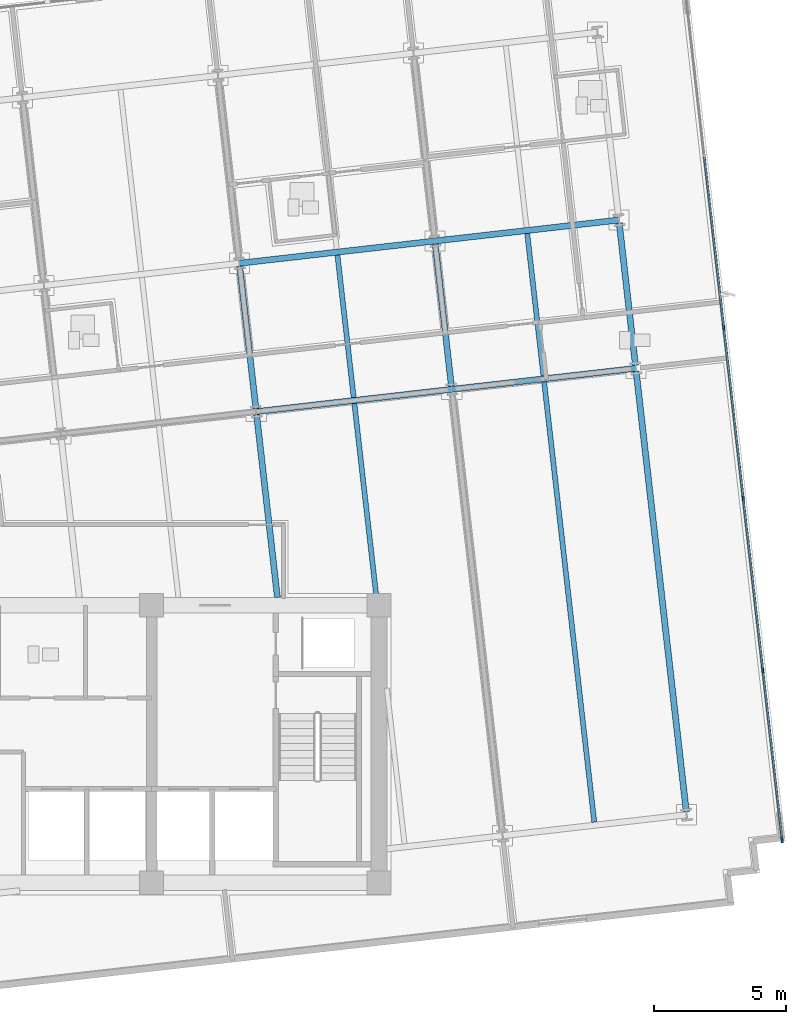
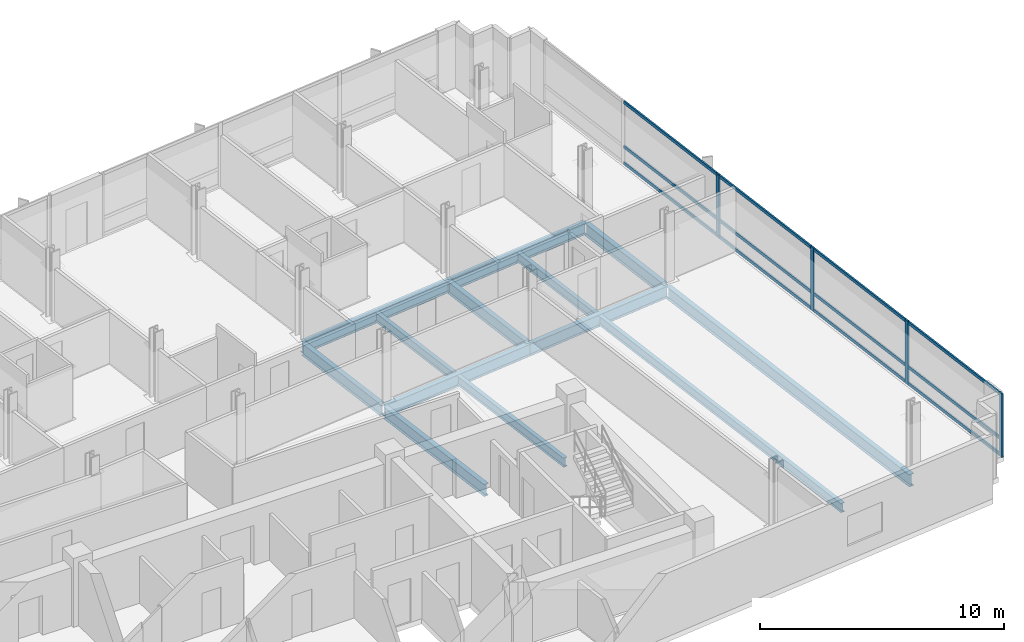
# One storey, part 4 of 17: 16 members, 13 beams, 1 element without a shape of its own.
"""IFC4 building model written with IfcOpenShell, lengths in metres."""

from ifc_helpers import new_model, si_unit, direction, frame, origin, origin_2d, place, context, subcontext, project, spatial, rectangle, i_section, extrude, material, material_profile, profile_set, type_object, element, aggregate, save


model = new_model("IFC4")

# Units and contexts
model_context = context("Model", 3, precision=1e-05, world=origin(), true_north=direction((0.0, 1.0)))
body_context = subcontext(model_context, "Body", "Model", "MODEL_VIEW")
ifc_project = project(units=[si_unit("LENGTHUNIT", "METRE"), si_unit("AREAUNIT", "SQUARE_METRE"), si_unit("VOLUMEUNIT", "CUBIC_METRE"), si_unit("PLANEANGLEUNIT", "RADIAN"), si_unit("MASSUNIT", "GRAM", prefix="KILO")], contexts=[model_context])

# Site, building, storey
site_placement = place(None, origin())
site = spatial("IfcSite", under=ifc_project, at=site_placement, CompositionType="ELEMENT")
building_placement = place(site_placement, origin())
building = spatial("IfcBuilding", under=site, at=building_placement, Name="Solmavex Isthmus Hotel", CompositionType="ELEMENT")
storey_placement = place(building_placement, frame((0.0, 0.0, 202.050048828125)))
storey = spatial("IfcBuildingStorey", under=building, at=storey_placement, Name="L54", CompositionType="ELEMENT", Elevation=202.050048828125)

# Beams
ifc_material_1 = material(Name="Steel ASTM A992 Grade 50", Category="steel")
ifc_material_profile_1 = material_profile(ifc_material_1, i_section(OverallWidth=0.1904296875, OverallDepth=0.456787109375, WebThickness=0.009033203125, FlangeThickness=0.014404296875, FilletRadius=0.0126953125, at=origin_2d()), Name="W18X50")
ifc_profile_set_1 = profile_set([ifc_material_profile_1], Name="Steel ASTM A992 Grade 50")
beam_type_1 = type_object("IfcBeamType", Name="BM-BJ-W18X50", PredefinedType="JOIST", material=ifc_profile_set_1)
beam_1_placement = place(storey_placement, frame((15.908447265625, -2.199951171875, -0.488525390625), z_axis=(-0.113224925382, 0.99356938171, 0.0), x_axis=(-0.99356938171, -0.113224925382, 0.0)))
element("IfcBeam", 1, at=beam_1_placement, inside=storey, type_object=beam_type_1, Name="Secondary Floor Joist L54-J16", PredefinedType="JOIST", context=body_context, shape_type="SweptSolid", body=[
    extrude(i_section(OverallWidth=0.1904296875, OverallDepth=0.456787109375, WebThickness=0.009033203125, FlangeThickness=0.014404296875, FilletRadius=0.0126953125, at=origin_2d()), origin(), (0.0, 0.0, 1.0), 7.38525390625),
])
beam_2_placement = place(storey_placement, frame((15.046630859375, 5.364013671875, -0.488525390625), z_axis=(-0.113189626161, 0.993573403695, 0.0), x_axis=(-0.993573403695, -0.113189626161, 0.0)))
element("IfcBeam", 2, at=beam_2_placement, inside=storey, type_object=beam_type_1, Name="Secondary Floor Joist L54-J17", PredefinedType="JOIST", context=body_context, shape_type="SweptSolid", body=[
    extrude(i_section(OverallWidth=0.1904296875, OverallDepth=0.456787109375, WebThickness=0.009033203125, FlangeThickness=0.014404296875, FilletRadius=0.0126953125, at=origin_2d()), origin(), (0.0, 0.0, 1.0), 5.42041015625),
])
beam_3_placement = place(storey_placement, frame((24.1513671875, -10.707275390625, -0.488525390625), z_axis=(-0.113198426291, 0.993572401129, 0.0), x_axis=(-0.993572401129, -0.113198426291, 0.0)))
element("IfcBeam", 3, at=beam_3_placement, inside=storey, type_object=beam_type_1, Name="Secondary Floor Joist L54-J19", PredefinedType="JOIST", context=body_context, shape_type="SweptSolid", body=[
    extrude(i_section(OverallWidth=0.1904296875, OverallDepth=0.456787109375, WebThickness=0.009033203125, FlangeThickness=0.014404296875, FilletRadius=0.0126953125, at=origin_2d()), origin(), (0.0, 0.0, 1.0), 16.77099609375),
])
beam_4_placement = place(storey_placement, frame((22.22705078125, 6.18212890625, -0.488525390625), z_axis=(-0.113189626161, 0.993573403695, 0.0), x_axis=(-0.993573403695, -0.113189626161, 0.0)))
element("IfcBeam", 4, at=beam_4_placement, inside=storey, type_object=beam_type_1, Name="Secondary Floor Joist L54-J20", PredefinedType="JOIST", context=body_context, shape_type="SweptSolid", body=[
    extrude(i_section(OverallWidth=0.1904296875, OverallDepth=0.456787109375, WebThickness=0.009033203125, FlangeThickness=0.014404296875, FilletRadius=0.0126953125, at=origin_2d()), origin(), (0.0, 0.0, 1.0), 5.42041015625),
])
ifc_material_profile_2 = material_profile(ifc_material_1, i_section(OverallWidth=0.227783203125, OverallDepth=0.602783203125, WebThickness=0.010498046875, FlangeThickness=0.014892578125, FilletRadius=0.01513671875, at=origin_2d()), Name="W24X68")
ifc_profile_set_2 = profile_set([ifc_material_profile_2], Name="Steel ASTM A992 Grade 50")
beam_type_2 = type_object("IfcBeamType", Name="BM-BM-W24X68", PredefinedType="BEAM", material=ifc_profile_set_2)
beam_5_placement = place(storey_placement, frame((11.3603515625, 4.829345703125, -0.561279296875), z_axis=(0.9935703463, 0.113216460607, 0.0), x_axis=(-0.113216460607, 0.9935703463, 0.0)))
element("IfcBeam", 5, at=beam_5_placement, inside=storey, type_object=beam_type_2, Name="Floor Girder L54-UG10", PredefinedType="BEAM", context=body_context, shape_type="SweptSolid", body=[
    extrude(i_section(OverallWidth=0.227783203125, OverallDepth=0.602783203125, WebThickness=0.010498046875, FlangeThickness=0.014892578125, FilletRadius=0.01513671875, at=origin_2d()), origin(), (0.0, 0.0, 1.0), 7.446044921875),
])
beam_6_placement = place(storey_placement, frame((18.758544921875, 5.67236328125, -0.561279296875), z_axis=(0.99357359356, 0.113187959519, 0.0), x_axis=(-0.113187959519, 0.99357359356, 0.0)))
element("IfcBeam", 6, at=beam_6_placement, inside=storey, type_object=beam_type_2, Name="Floor Girder L54-UG11", PredefinedType="BEAM", context=body_context, shape_type="SweptSolid", body=[
    extrude(i_section(OverallWidth=0.227783203125, OverallDepth=0.602783203125, WebThickness=0.010498046875, FlangeThickness=0.014892578125, FilletRadius=0.01513671875, at=origin_2d()), origin(), (0.0, 0.0, 1.0), 7.0078125),
])
beam_7_placement = place(storey_placement, frame((10.720947265625, 10.441162109375, -0.561279296875), z_axis=(0.993574034044, 0.113184092846, 0.0), x_axis=(-0.113184092846, 0.993574034044, 0.0)))
element("IfcBeam", 7, at=beam_7_placement, inside=storey, type_object=beam_type_2, Name="Floor Girder L54-UG16", PredefinedType="BEAM", context=body_context, shape_type="SweptSolid", body=[
    extrude(i_section(OverallWidth=0.227783203125, OverallDepth=0.602783203125, WebThickness=0.010498046875, FlangeThickness=0.014892578125, FilletRadius=0.01513671875, at=origin_2d()), origin(), (0.0, 0.0, 1.0), 7.446044921875),
])
beam_8_placement = place(storey_placement, frame((18.119140625, 11.283935546875, -0.561279296875), z_axis=(0.993569675103, 0.113222350774, 0.0), x_axis=(-0.113222350774, 0.993569675103, 0.0)))
element("IfcBeam", 8, at=beam_8_placement, inside=storey, type_object=beam_type_2, Name="Floor Girder L54-UG17", PredefinedType="BEAM", context=body_context, shape_type="SweptSolid", body=[
    extrude(i_section(OverallWidth=0.227783203125, OverallDepth=0.602783203125, WebThickness=0.010498046875, FlangeThickness=0.014892578125, FilletRadius=0.01513671875, at=origin_2d()), origin(), (0.0, 0.0, 1.0), 7.008056640625),
])
beam_9_placement = place(storey_placement, frame((12.161376953125, -2.199951171875, -0.561279296875), z_axis=(-0.113214229187, 0.993570600566, 0.0), x_axis=(-0.993570600566, -0.113214229187, 0.0)))
element("IfcBeam", 9, at=beam_9_placement, inside=storey, type_object=beam_type_2, Name="Floor Beam L54-VG37", PredefinedType="BEAM", context=body_context, shape_type="SweptSolid", body=[
    extrude(i_section(OverallWidth=0.227783203125, OverallDepth=0.602783203125, WebThickness=0.010498046875, FlangeThickness=0.014892578125, FilletRadius=0.01513671875, at=origin_2d()), origin(), (0.0, 0.0, 1.0), 6.9609375),
])
beam_10_placement = place(storey_placement, frame((11.347412109375, 4.942626953125, -0.561279296875), z_axis=(-0.113194691868, 0.993572826587, 0.0), x_axis=(-0.993572826587, -0.113194691868, 0.0)))
element("IfcBeam", 10, at=beam_10_placement, inside=storey, type_object=beam_type_2, Name="Floor Beam L54-VG38", PredefinedType="BEAM", context=body_context, shape_type="SweptSolid", body=[
    extrude(i_section(OverallWidth=0.227783203125, OverallDepth=0.602783203125, WebThickness=0.010498046875, FlangeThickness=0.014892578125, FilletRadius=0.01513671875, at=origin_2d()), origin(), (0.0, 0.0, 1.0), 5.420166015625),
])
beam_11_placement = place(storey_placement, frame((18.74560546875, 5.785400390625, -0.561279296875), z_axis=(-0.113189626161, 0.993573403695, 0.0), x_axis=(-0.993573403695, -0.113189626161, 0.0)))
element("IfcBeam", 11, at=beam_11_placement, inside=storey, type_object=beam_type_2, Name="Floor Beam L54-VG41", PredefinedType="BEAM", context=body_context, shape_type="SweptSolid", body=[
    extrude(i_section(OverallWidth=0.227783203125, OverallDepth=0.602783203125, WebThickness=0.010498046875, FlangeThickness=0.014892578125, FilletRadius=0.01513671875, at=origin_2d()), origin(), (0.0, 0.0, 1.0), 5.42041015625),
])
ifc_material_profile_3 = material_profile(ifc_material_1, i_section(OverallWidth=0.230224609375, OverallDepth=0.617431640625, WebThickness=0.01318359375, FlangeThickness=0.022216796875, FilletRadius=0.01513671875, at=origin_2d()), Name="W24X94")
ifc_profile_set_3 = profile_set([ifc_material_profile_3], Name="Steel ASTM A992 Grade 50")
beam_type_3 = type_object("IfcBeamType", Name="BM-SP-W24X94", PredefinedType="SPANDREL", material=ifc_profile_set_3)
beam_12_placement = place(storey_placement, frame((27.6328125, -10.310546875, -0.56884765625), z_axis=(-0.113198426291, 0.993572401129, 0.0), x_axis=(-0.993572401129, -0.113198426291, 0.0)))
element("IfcBeam", 12, at=beam_12_placement, inside=storey, type_object=beam_type_3, Name="Floor Beam L54-VG43", PredefinedType="SPANDREL", context=body_context, shape_type="SweptSolid", body=[
    extrude(i_section(OverallWidth=0.230224609375, OverallDepth=0.617431640625, WebThickness=0.01318359375, FlangeThickness=0.022216796875, FilletRadius=0.01513671875, at=origin_2d()), origin(), (0.0, 0.0, 1.0), 16.77099609375),
])
beam_13_placement = place(storey_placement, frame((25.70849609375, 6.578857421875, -0.56884765625), z_axis=(-0.113194691868, 0.993572826587, 0.0), x_axis=(-0.993572826587, -0.113194691868, 0.0)))
element("IfcBeam", 13, at=beam_13_placement, inside=storey, type_object=beam_type_3, Name="Floor Beam L54-VG44", PredefinedType="SPANDREL", context=body_context, shape_type="SweptSolid", body=[
    extrude(i_section(OverallWidth=0.230224609375, OverallDepth=0.617431640625, WebThickness=0.01318359375, FlangeThickness=0.022216796875, FilletRadius=0.01513671875, at=origin_2d()), origin(), (0.0, 0.0, 1.0), 5.420166015625),
])

# Curtain wall, members
ifc_material_2 = material(Name="Aluminium alloy 6063-T6", Category="aluminium")
curtain_wall_type = type_object("IfcCurtainWallType", Name="CW-SYS-04", PredefinedType="NOTDEFINED", material=ifc_material_2)
curtain_wall_placement = place(storey_placement, origin())
curtain_wall = element("IfcCurtainWall", 14, at=curtain_wall_placement, inside=storey, type_object=curtain_wall_type, Name="Stick Curtain Wall CWL-L54-E1", PredefinedType="NOTDEFINED")
ifc_material_profile_4 = material_profile(ifc_material_2, rectangle(XDim=0.074951171875, YDim=0.199951171875, at=origin_2d()), Name="CWM-75X200")
ifc_profile_set_4 = profile_set([ifc_material_profile_4], Name="Aluminium alloy 6063-T6")
member_type_1 = type_object("IfcMemberType", Name="CW-SYS-04-MUL", PredefinedType="MULLION", material=ifc_profile_set_4)
member_1_placement = place(storey_placement, frame((31.2578125, -11.384765625, 0.0), z_axis=(0.0, 0.0, 1.0), x_axis=(-0.993571836648, -0.11320338078, 0.0)))
member_1 = element("IfcMember", 15, at=member_1_placement, type_object=member_type_1, Name="CW-04 mullion 1", PredefinedType="MULLION", context=body_context, shape_type="SweptSolid", body=[
    extrude(rectangle(XDim=0.074951171875, YDim=0.199951171875, at=origin_2d()), origin(), (0.0, 0.0, 1.0), 3.18994140625),
])
member_2_placement = place(storey_placement, frame((30.52392578125, -4.944091796875, 0.0), z_axis=(0.0, 0.0, 1.0), x_axis=(-0.993571836648, -0.11320338078, 0.0)))
member_2 = element("IfcMember", 16, at=member_2_placement, type_object=member_type_1, Name="CW-04 mullion 2", PredefinedType="MULLION", context=body_context, shape_type="SweptSolid", body=[
    extrude(rectangle(XDim=0.074951171875, YDim=0.199951171875, at=origin_2d()), origin(), (0.0, 0.0, 1.0), 3.18994140625),
])
member_3_placement = place(storey_placement, frame((29.785888671875, 1.533935546875, 0.0), z_axis=(0.0, 0.0, 1.0), x_axis=(-0.993571836648, -0.11320338078, 0.0)))
member_3 = element("IfcMember", 17, at=member_3_placement, type_object=member_type_1, Name="CW-04 mullion 3", PredefinedType="MULLION", context=body_context, shape_type="SweptSolid", body=[
    extrude(rectangle(XDim=0.074951171875, YDim=0.199951171875, at=origin_2d()), origin(), (0.0, 0.0, 1.0), 3.18994140625),
])
member_4_placement = place(storey_placement, frame((29.0478515625, 8.01220703125, 0.0), z_axis=(0.0, 0.0, 1.0), x_axis=(-0.993571836648, -0.11320338078, 0.0)))
member_4 = element("IfcMember", 18, at=member_4_placement, type_object=member_type_1, Name="CW-04 mullion 4", PredefinedType="MULLION", context=body_context, shape_type="SweptSolid", body=[
    extrude(rectangle(XDim=0.074951171875, YDim=0.199951171875, at=origin_2d()), origin(), (0.0, 0.0, 1.0), 3.18994140625),
])
ifc_material_profile_5 = material_profile(ifc_material_2, rectangle(XDim=0.074951171875, YDim=0.14990234375, at=origin_2d()), Name="CWT-75X150")
ifc_profile_set_5 = profile_set([ifc_material_profile_5], Name="Aluminium alloy 6063-T6")
member_type_2 = type_object("IfcMemberType", Name="CW-SYS-04-TRN", PredefinedType="USERDEFINED", material=ifc_profile_set_5)
member_5_placement = place(storey_placement, frame((31.253662109375, -11.34765625, 0.074951171875), z_axis=(-0.113199495412, 0.993572279323, 0.0), x_axis=(-0.993572279323, -0.113199495412, 0.0)))
member_5 = element("IfcMember", 19, at=member_5_placement, type_object=member_type_2, Name="CW-04 transom 1.1", ObjectType="TRANSOM", PredefinedType="USERDEFINED", context=body_context, shape_type="SweptSolid", body=[
    extrude(rectangle(XDim=0.074951171875, YDim=0.14990234375, at=origin_2d()), origin(), (0.0, 0.0, 1.0), 6.40771484375),
])
member_6_placement = place(storey_placement, frame((31.253662109375, -11.34765625, 0.89990234375), z_axis=(-0.113199495412, 0.993572279323, 0.0), x_axis=(-0.993572279323, -0.113199495412, 0.0)))
member_6 = element("IfcMember", 20, at=member_6_placement, type_object=member_type_2, Name="CW-04 transom 1.2", ObjectType="TRANSOM", PredefinedType="USERDEFINED", context=body_context, shape_type="SweptSolid", body=[
    extrude(rectangle(XDim=0.074951171875, YDim=0.14990234375, at=origin_2d()), origin(), (0.0, 0.0, 1.0), 6.40771484375),
])
member_7_placement = place(storey_placement, frame((31.253662109375, -11.34765625, 3.114990234375), z_axis=(-0.113199495412, 0.993572279323, 0.0), x_axis=(-0.993572279323, -0.113199495412, 0.0)))
member_7 = element("IfcMember", 21, at=member_7_placement, type_object=member_type_2, Name="CW-04 transom 1.3", ObjectType="TRANSOM", PredefinedType="USERDEFINED", context=body_context, shape_type="SweptSolid", body=[
    extrude(rectangle(XDim=0.074951171875, YDim=0.14990234375, at=origin_2d()), origin(), (0.0, 0.0, 1.0), 6.40771484375),
])
member_8_placement = place(storey_placement, frame((30.519775390625, -4.90673828125, 0.074951171875), z_axis=(-0.113225012477, 0.993569371785, 0.0), x_axis=(-0.993569371785, -0.113225012477, 0.0)))
member_8 = element("IfcMember", 22, at=member_8_placement, type_object=member_type_2, Name="CW-04 transom 2.1", ObjectType="TRANSOM", PredefinedType="USERDEFINED", context=body_context, shape_type="SweptSolid", body=[
    extrude(rectangle(XDim=0.074951171875, YDim=0.14990234375, at=origin_2d()), origin(), (0.0, 0.0, 1.0), 6.445068359375),
])
member_9_placement = place(storey_placement, frame((30.519775390625, -4.90673828125, 0.89990234375), z_axis=(-0.113225012477, 0.993569371785, 0.0), x_axis=(-0.993569371785, -0.113225012477, 0.0)))
member_9 = element("IfcMember", 23, at=member_9_placement, type_object=member_type_2, Name="CW-04 transom 2.2", ObjectType="TRANSOM", PredefinedType="USERDEFINED", context=body_context, shape_type="SweptSolid", body=[
    extrude(rectangle(XDim=0.074951171875, YDim=0.14990234375, at=origin_2d()), origin(), (0.0, 0.0, 1.0), 6.445068359375),
])
member_10_placement = place(storey_placement, frame((30.519775390625, -4.90673828125, 3.114990234375), z_axis=(-0.113225012477, 0.993569371785, 0.0), x_axis=(-0.993569371785, -0.113225012477, 0.0)))
member_10 = element("IfcMember", 24, at=member_10_placement, type_object=member_type_2, Name="CW-04 transom 2.3", ObjectType="TRANSOM", PredefinedType="USERDEFINED", context=body_context, shape_type="SweptSolid", body=[
    extrude(rectangle(XDim=0.074951171875, YDim=0.14990234375, at=origin_2d()), origin(), (0.0, 0.0, 1.0), 6.445068359375),
])
member_11_placement = place(storey_placement, frame((29.78173828125, 1.5712890625, 0.074951171875), z_axis=(-0.113225012477, 0.993569371785, 0.0), x_axis=(-0.993569371785, -0.113225012477, 0.0)))
member_11 = element("IfcMember", 25, at=member_11_placement, type_object=member_type_2, Name="CW-04 transom 3.1", ObjectType="TRANSOM", PredefinedType="USERDEFINED", context=body_context, shape_type="SweptSolid", body=[
    extrude(rectangle(XDim=0.074951171875, YDim=0.14990234375, at=origin_2d()), origin(), (0.0, 0.0, 1.0), 6.445068359375),
])
member_12_placement = place(storey_placement, frame((29.78173828125, 1.5712890625, 0.89990234375), z_axis=(-0.113225012477, 0.993569371785, 0.0), x_axis=(-0.993569371785, -0.113225012477, 0.0)))
member_12 = element("IfcMember", 26, at=member_12_placement, type_object=member_type_2, Name="CW-04 transom 3.2", ObjectType="TRANSOM", PredefinedType="USERDEFINED", context=body_context, shape_type="SweptSolid", body=[
    extrude(rectangle(XDim=0.074951171875, YDim=0.14990234375, at=origin_2d()), origin(), (0.0, 0.0, 1.0), 6.445068359375),
])
member_13_placement = place(storey_placement, frame((29.78173828125, 1.5712890625, 3.114990234375), z_axis=(-0.113225012477, 0.993569371785, 0.0), x_axis=(-0.993569371785, -0.113225012477, 0.0)))
member_13 = element("IfcMember", 27, at=member_13_placement, type_object=member_type_2, Name="CW-04 transom 3.3", ObjectType="TRANSOM", PredefinedType="USERDEFINED", context=body_context, shape_type="SweptSolid", body=[
    extrude(rectangle(XDim=0.074951171875, YDim=0.14990234375, at=origin_2d()), origin(), (0.0, 0.0, 1.0), 6.445068359375),
])
member_14_placement = place(storey_placement, frame((29.04345703125, 8.04931640625, 0.074951171875), z_axis=(-0.113187617296, 0.993573632546, 0.0), x_axis=(-0.993573632546, -0.113187617296, 0.0)))
member_14 = element("IfcMember", 28, at=member_14_placement, type_object=member_type_2, Name="CW-04 transom 4.1", ObjectType="TRANSOM", PredefinedType="USERDEFINED", context=body_context, shape_type="SweptSolid", body=[
    extrude(rectangle(XDim=0.074951171875, YDim=0.14990234375, at=origin_2d()), origin(), (0.0, 0.0, 1.0), 6.445068359375),
])
member_15_placement = place(storey_placement, frame((29.04345703125, 8.04931640625, 0.89990234375), z_axis=(-0.113187617296, 0.993573632546, 0.0), x_axis=(-0.993573632546, -0.113187617296, 0.0)))
member_15 = element("IfcMember", 29, at=member_15_placement, type_object=member_type_2, Name="CW-04 transom 4.2", ObjectType="TRANSOM", PredefinedType="USERDEFINED", context=body_context, shape_type="SweptSolid", body=[
    extrude(rectangle(XDim=0.074951171875, YDim=0.14990234375, at=origin_2d()), origin(), (0.0, 0.0, 1.0), 6.445068359375),
])
member_16_placement = place(storey_placement, frame((29.04345703125, 8.04931640625, 3.114990234375), z_axis=(-0.113187617296, 0.993573632546, 0.0), x_axis=(-0.993573632546, -0.113187617296, 0.0)))
member_16 = element("IfcMember", 30, at=member_16_placement, type_object=member_type_2, Name="CW-04 transom 4.3", ObjectType="TRANSOM", PredefinedType="USERDEFINED", context=body_context, shape_type="SweptSolid", body=[
    extrude(rectangle(XDim=0.074951171875, YDim=0.14990234375, at=origin_2d()), origin(), (0.0, 0.0, 1.0), 6.445068359375),
])
aggregate(curtain_wall, [member_1, member_2, member_3, member_4, member_5, member_6, member_7, member_8, member_9, member_10, member_11, member_12, member_13, member_14, member_15, member_16])

save(model, "model.ifc")
